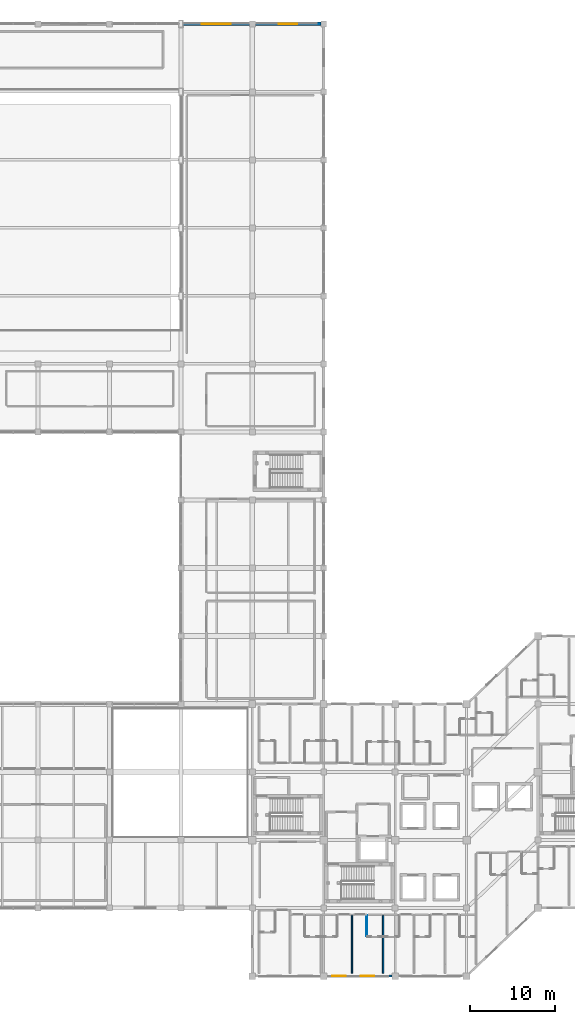
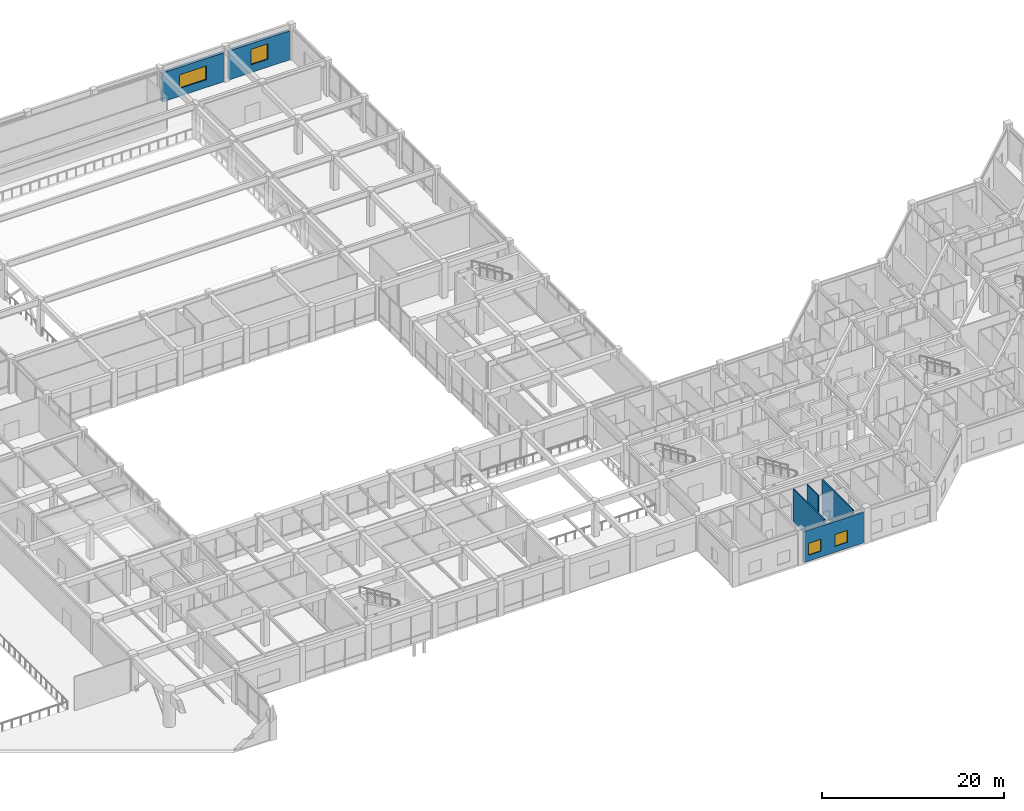
# One storey, part 57 of 76: 6 walls, 4 windows, 4 openings.
"""IFC4 building model written with IfcOpenShell, lengths in metres."""

from ifc_helpers import new_model, si_unit, direction, frame, frame_2d, origin, place, context, subcontext, project, spatial, rectangle, extrude, material, layer, layer_set, type_object, element, fill, save


model = new_model("IFC4")

# Units and contexts
model_context = context("Model", 3, precision=1e-05, world=origin(), true_north=direction((0.0, 1.0)))
body_context = subcontext(model_context, "Body", "Model", "MODEL_VIEW")
ifc_project = project(units=[si_unit("LENGTHUNIT", "METRE"), si_unit("AREAUNIT", "SQUARE_METRE"), si_unit("VOLUMEUNIT", "CUBIC_METRE"), si_unit("PLANEANGLEUNIT", "RADIAN"), si_unit("MASSUNIT", "GRAM", prefix="KILO")], contexts=[model_context])

# Site, building, storey
site_placement = place(None, origin())
site = spatial("IfcSite", under=ifc_project, at=site_placement, CompositionType="ELEMENT")
building_placement = place(site_placement, origin())
building = spatial("IfcBuilding", under=site, at=building_placement, Name="Naruveol Harbour Congress Hotel", CompositionType="ELEMENT")
storey_placement = place(building_placement, frame((0.0, 0.0, 11.39990234375)))
storey = spatial("IfcBuildingStorey", under=building, at=storey_placement, Name="L02", CompositionType="ELEMENT", Elevation=11.39990234375)

# Walls
ifc_material_1 = material(Name="Moisture-Resistant Gypsum Partition", Category="gypsum")
ifc_layer_1 = layer(ifc_material_1, 0.114990234375)
ifc_layer_set_1 = layer_set([ifc_layer_1], Name="Moisture-Resistant Gypsum Partition")
wall_type_1 = type_object("IfcWallType", Name="BATHROOM MOISTURE PARTITION WALL 115", PredefinedType="PARTITIONING", material=ifc_layer_set_1)
wall_1_placement = place(storey_placement, frame((131.070068359375, 4.68994140625, 0.0), z_axis=(0.0, 0.0, 1.0), x_axis=(0.0, 1.0, 0.0)))
element("IfcWall", 1, at=wall_1_placement, inside=storey, type_object=wall_type_1, Name="Bathroom west wall 0304 PW-115", PredefinedType="PARTITIONING", context=body_context, shape_type="SweptSolid", body=[
    extrude(rectangle(XDim=2.449951171875, YDim=0.114990234375, at=frame_2d((1.22509765625, 0.0))), origin(), (0.0, 0.0, 1.0), 4.53515625),
])
ifc_material_2 = material(Name="Autoclaved Aerated Concrete Block", Category="concrete")
ifc_layer_2 = layer(ifc_material_2, 0.159912109375)
ifc_layer_set_2 = layer_set([ifc_layer_2], Name="Autoclaved Aerated Concrete Block")
wall_type_2 = type_object("IfcWallType", Name="HOTEL PARTY AND CORRIDOR WALL 160 EI60", PredefinedType="PARTITIONING", material=ifc_layer_set_2)
for number, where, z_axis, x_axis, name in (
    (2, (129.330078125, 0.340087890625, 0.0), (0.0, 0.0, 1.0), (0.0, 1.0, 0.0), "Hotel party wall 0304 PW-160"),
    (3, (132.97998046875, 0.340087890625, 0.0), (0.0, 0.0, 1.0), (0.0, 1.0, 0.0), "Hotel party wall 0305 PW-160"),
):
    element("IfcWall", number, at=place(storey_placement, frame(where, z_axis=z_axis, x_axis=x_axis)), inside=storey, type_object=wall_type_2, Name=name, PredefinedType="PARTITIONING", context=body_context, shape_type="SweptSolid", body=[
        extrude(rectangle(XDim=6.7998046875, YDim=0.159912109375, at=frame_2d((3.39990234375, 0.0))), origin(), (0.0, 0.0, 1.0), 4.53515625),
    ])

# Wall, opening, window
ifc_material_3 = material(Name="Concrete C40/50", Category="concrete")
ifc_layer_3 = layer(ifc_material_3, 0.3798828125)
ifc_layer_set_3 = layer_set([ifc_layer_3], Name="Concrete C40/50")
wall_type_3 = type_object("IfcWallType", Name="INSULATED GRANITE FACADE WALL 380", PredefinedType="SOLIDWALL", material=ifc_layer_set_3)
wall_2_placement = place(storey_placement, frame((109.449951171875, 112.0, 0.0), z_axis=(0.0, 0.0, 1.0), x_axis=(1.0, 0.0, 0.0)))
wall_2 = element("IfcWall", 4, at=wall_2_placement, inside=storey, type_object=wall_type_3, Name="Ballroom north facade EW-380", PredefinedType="SOLIDWALL", context=body_context, shape_type="SweptSolid", body=[
    extrude(rectangle(XDim=7.800048828125, YDim=0.3798828125, at=frame_2d((3.89990234375, 0.0))), origin(), (0.0, 0.0, 1.0), 3.900146484375),
])
opening_1_placement = place(wall_2_placement, frame((2.199951171875, 0.0, 1.050048828125)))
opening_1 = element("IfcOpeningElement", 5, at=opening_1_placement, cuts=wall_2, Name="Opening W-24", PredefinedType="OPENING", context=body_context, shape_type="SweptSolid", body=[
    extrude(rectangle(XDim=3.39990234375, YDim=1.85009765625, at=frame_2d((1.699951171875, 0.925048828125))), frame((0.0, 0.199951171875, 0.0), z_axis=(0.0, -1.0, 0.0), x_axis=(1.0, 0.0, 0.0)), (0.0, 0.0, 1.0), 0.39990234375),
])
ifc_material_4 = material(Name="Low-E Triple Glazing in Thermal Aluminium", Category="aluminium")
window_type_1 = type_object("IfcWindowType", Name="DELEGATES LOUNGE WINDOW 3400X1850", PartitioningType="DOUBLE_PANEL_VERTICAL", PredefinedType="WINDOW", material=ifc_material_4)
window_1_placement = place(opening_1_placement, origin())
window_1 = element("IfcWindow", 6, at=window_1_placement, inside=storey, type_object=window_type_1, Name="Window W-24 #127", OverallHeight=1.85009765625, OverallWidth=3.39990234375, PartitioningType="DOUBLE_PANEL_VERTICAL", PredefinedType="WINDOW", context=body_context, shape_type="SweptSolid", body=[
    extrude(rectangle(XDim=3.39990234375, YDim=1.85009765625, at=frame_2d((1.699951171875, 0.925048828125))), frame((0.0, 0.030029296875, 0.0), z_axis=(0.0, -1.0, 0.0), x_axis=(1.0, 0.0, 0.0)), (0.0, 0.0, 1.0), 0.06005859375),
])
fill(opening_1, window_1)

wall_3_placement = place(storey_placement, frame((117.949951171875, 112.0, 0.0), z_axis=(0.0, 0.0, 1.0), x_axis=(1.0, 0.0, 0.0)))
wall_3 = element("IfcWall", 7, at=wall_3_placement, inside=storey, type_object=wall_type_3, Name="Ballroom north facade EW-380", PredefinedType="SOLIDWALL", context=body_context, shape_type="SweptSolid", body=[
    extrude(rectangle(XDim=7.699951171875, YDim=0.3798828125, at=frame_2d((3.85009765625, 0.0))), origin(), (0.0, 0.0, 1.0), 3.900146484375),
])
opening_2_placement = place(wall_3_placement, frame((2.77490234375, 0.0, 1.050048828125)))
opening_2 = element("IfcOpeningElement", 8, at=opening_2_placement, cuts=wall_3, Name="Opening W-29", PredefinedType="OPENING", context=body_context, shape_type="SweptSolid", body=[
    extrude(rectangle(XDim=2.14990234375, YDim=2.10009765625, at=frame_2d((1.074951171875, 1.050048828125))), frame((0.0, 0.199951171875, 0.0), z_axis=(0.0, -1.0, 0.0), x_axis=(1.0, 0.0, 0.0)), (0.0, 0.0, 1.0), 0.39990234375),
])
ifc_material_5 = material(Name="Low-E Triple Glazing in Thermal Aluminium", Category="aluminium")
window_type_2 = type_object("IfcWindowType", Name="DINING TERRACE WINDOW 2150X2100", PartitioningType="DOUBLE_PANEL_VERTICAL", PredefinedType="WINDOW", material=ifc_material_5)
window_2_placement = place(opening_2_placement, origin())
window_2 = element("IfcWindow", 9, at=window_2_placement, inside=storey, type_object=window_type_2, Name="Window W-29 #128", OverallHeight=2.10009765625, OverallWidth=2.14990234375, PartitioningType="DOUBLE_PANEL_VERTICAL", PredefinedType="WINDOW", context=body_context, shape_type="SweptSolid", body=[
    extrude(rectangle(XDim=2.14990234375, YDim=2.10009765625, at=frame_2d((1.074951171875, 1.050048828125))), frame((0.0, 0.030029296875, 0.0), z_axis=(0.0, -1.0, 0.0), x_axis=(1.0, 0.0, 0.0)), (0.0, 0.0, 1.0), 0.06005859375),
])
fill(opening_2, window_2)

# Wall, openings, windows
ifc_material_6 = material(Name="Concrete C40/50", Category="concrete")
ifc_layer_4 = layer(ifc_material_6, 0.239990234375)
ifc_layer_set_4 = layer_set([ifc_layer_4], Name="Concrete C40/50")
wall_type_4 = type_object("IfcWallType", Name="INSULATED HOTEL SPANDREL WALL 240", PredefinedType="SOLIDWALL", material=ifc_layer_set_4)
wall_4_placement = place(storey_placement, frame((134.0, 0.0, 0.0), z_axis=(0.0, 0.0, 1.0), x_axis=(-1.0, 0.0, 0.0)))
wall_4 = element("IfcWall", 10, at=wall_4_placement, inside=storey, type_object=wall_type_4, Name="Hotel south waterfront wall L02 EW-240", PredefinedType="SOLIDWALL", context=body_context, shape_type="SweptSolid", body=[
    extrude(rectangle(XDim=7.60009765625, YDim=0.239990234375, at=frame_2d((3.800048828125, 0.0))), origin(), (0.0, 0.0, 1.0), 4.130126953125),
])
opening_3_placement = place(wall_4_placement, frame((2.044921875, 0.0, 0.800048828125)))
opening_3 = element("IfcOpeningElement", 11, at=opening_3_placement, cuts=wall_4, Name="Opening W-03", PredefinedType="OPENING", context=body_context, shape_type="SweptSolid", body=[
    extrude(rectangle(XDim=1.60009765625, YDim=1.60009765625, at=frame_2d((0.800048828125, 0.800048828125))), frame((0.0, 0.1298828125, 0.0), z_axis=(0.0, -1.0, 0.0), x_axis=(1.0, 0.0, 0.0)), (0.0, 0.0, 1.0), 0.260009765625),
])
opening_4_placement = place(wall_4_placement, frame((5.385009765625, 0.0, 0.800048828125)))
opening_4 = element("IfcOpeningElement", 12, at=opening_4_placement, cuts=wall_4, Name="Opening W-03", PredefinedType="OPENING", context=body_context, shape_type="SweptSolid", body=[
    extrude(rectangle(XDim=1.60009765625, YDim=1.60009765625, at=frame_2d((0.800048828125, 0.800048828125))), frame((0.0, 0.1298828125, 0.0), z_axis=(0.0, -1.0, 0.0), x_axis=(1.0, 0.0, 0.0)), (0.0, 0.0, 1.0), 0.260009765625),
])
ifc_material_7 = material(Name="Low-E Triple Glazing in Thermal Aluminium", Category="aluminium")
window_type_3 = type_object("IfcWindowType", Name="DELUXE GUEST WINDOW 1600X1600", PartitioningType="SINGLE_PANEL", PredefinedType="WINDOW", material=ifc_material_7)
window_3_placement = place(opening_3_placement, origin())
window_3 = element("IfcWindow", 13, at=window_3_placement, inside=storey, type_object=window_type_3, Name="Window W-03 #188", OverallHeight=1.60009765625, OverallWidth=1.60009765625, PartitioningType="SINGLE_PANEL", PredefinedType="WINDOW", context=body_context, shape_type="SweptSolid", body=[
    extrude(rectangle(XDim=1.60009765625, YDim=1.60009765625, at=frame_2d((0.800048828125, 0.800048828125))), frame((0.0, 0.030029296875, 0.0), z_axis=(0.0, -1.0, 0.0), x_axis=(1.0, 0.0, 0.0)), (0.0, 0.0, 1.0), 0.06005859375),
])
fill(opening_3, window_3)
window_4_placement = place(opening_4_placement, origin())
window_4 = element("IfcWindow", 14, at=window_4_placement, inside=storey, type_object=window_type_3, Name="Window W-03 #189", OverallHeight=1.60009765625, OverallWidth=1.60009765625, PartitioningType="SINGLE_PANEL", PredefinedType="WINDOW", context=body_context, shape_type="SweptSolid", body=[
    extrude(rectangle(XDim=1.60009765625, YDim=1.60009765625, at=frame_2d((0.800048828125, 0.800048828125))), frame((0.0, 0.030029296875, 0.0), z_axis=(0.0, -1.0, 0.0), x_axis=(1.0, 0.0, 0.0)), (0.0, 0.0, 1.0), 0.06005859375),
])
fill(opening_4, window_4)

save(model, "model.ifc")
